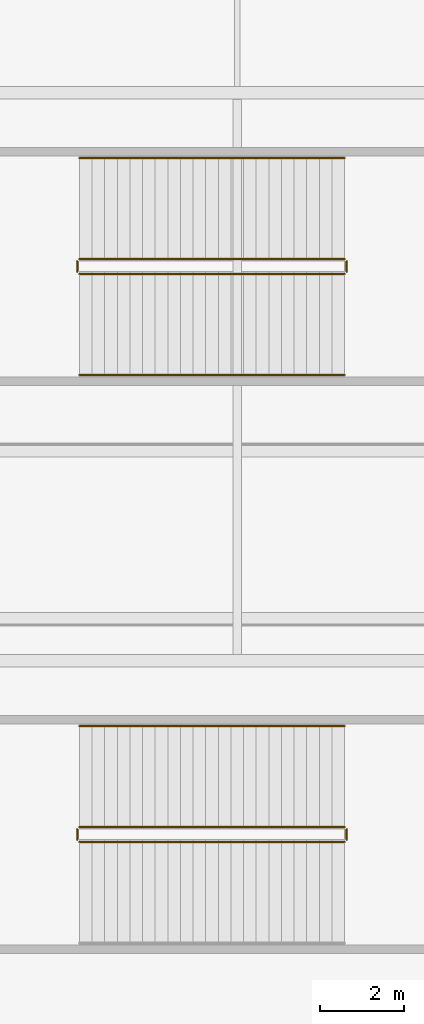
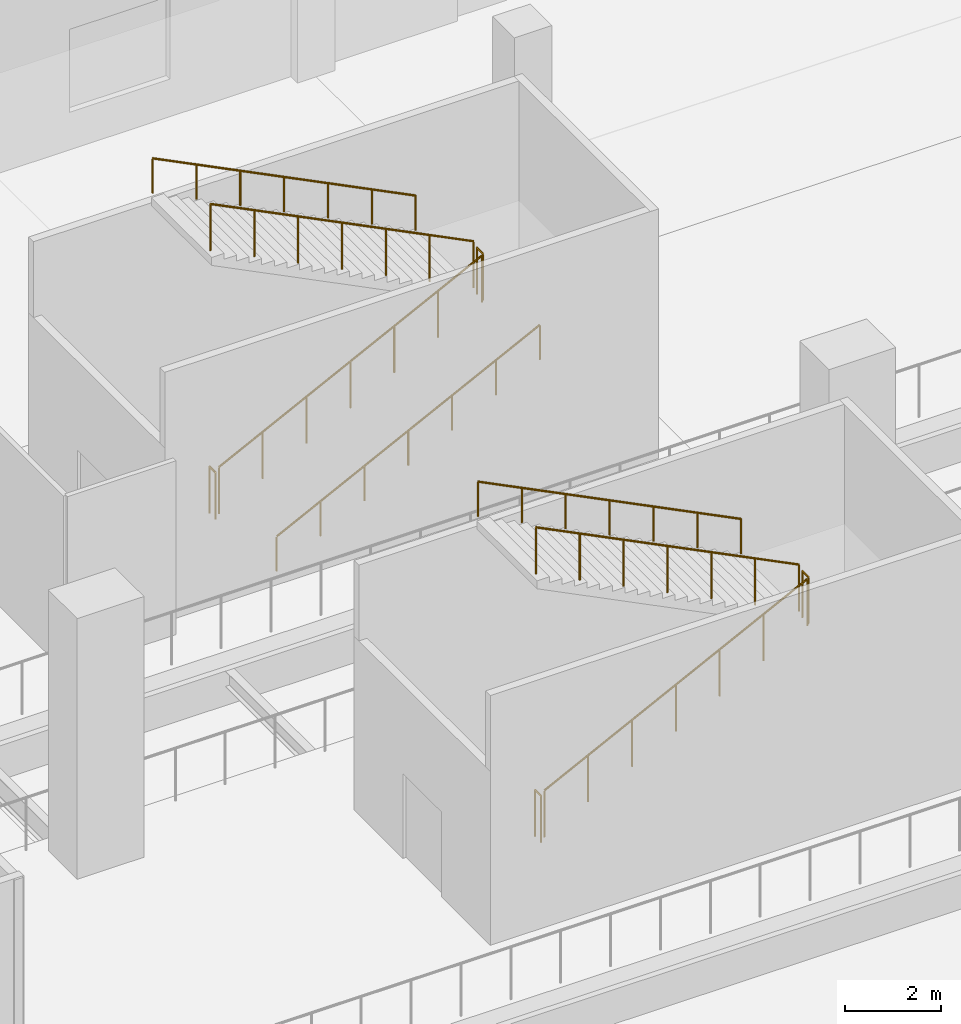
# One storey, part 53 of 65: 11 railings.
"""IFC4 building model written with IfcOpenShell, lengths in metres."""

from ifc_helpers import new_model, si_unit, direction, frame, origin, origin_2d, place, context, subcontext, project, spatial, circle, extrude, material, type_object, element, save


model = new_model("IFC4")

# Units and contexts
model_context = context("Model", 3, precision=1e-05, world=origin(), true_north=direction((0.0, 1.0)))
body_context = subcontext(model_context, "Body", "Model", "MODEL_VIEW")
ifc_project = project(units=[si_unit("LENGTHUNIT", "METRE"), si_unit("AREAUNIT", "SQUARE_METRE"), si_unit("VOLUMEUNIT", "CUBIC_METRE"), si_unit("PLANEANGLEUNIT", "RADIAN"), si_unit("MASSUNIT", "GRAM", prefix="KILO")], contexts=[model_context])

# Site, building, storey
site_placement = place(None, origin())
site = spatial("IfcSite", under=ifc_project, at=site_placement, CompositionType="ELEMENT")
building_placement = place(site_placement, origin())
building = spatial("IfcBuilding", under=site, at=building_placement, Name="Chuanluo Vaults Station", CompositionType="ELEMENT")
storey_placement = place(building_placement, origin())
storey = spatial("IfcBuildingStorey", under=building, at=storey_placement, Name="L00", CompositionType="ELEMENT", Elevation=0.0)

# Railings
ifc_material_1 = material(Name="Tempered laminated balustrade glass", Category="glass")
railing_type_1 = type_object("IfcRailingType", Name="RLG-GUARD-1200", PredefinedType="BALUSTRADE", material=ifc_material_1)
railing_1_placement = place(storey_placement, frame((62.25, 99.199951171875, 0.14990234375)))
element("IfcRailing", 1, at=railing_1_placement, inside=storey, type_object=railing_type_1, Name="L00 ST-14 stair guard 1", PredefinedType="BALUSTRADE", context=body_context, shape_type="SweptSolid", body=[
    extrude(circle(Radius=0.02392578125, at=origin_2d()), frame((0.0, 0.0, 1.17578125), z_axis=(0.894420258746, 0.0, 0.44722745974), x_axis=(0.0, 1.0, 0.0)), (0.0, 0.0, 1.0), 7.043701171875),
    extrude(circle(Radius=0.02099609375, at=origin_2d()), origin(), (0.0, 0.0, 1.0), 1.15185546875),
    extrude(circle(Radius=0.02099609375, at=origin_2d()), frame((1.050048828125, 0.0, 0.52490234375)), (0.0, 0.0, 1.0), 1.15185546875),
    extrude(circle(Radius=0.02099609375, at=origin_2d()), frame((2.10009765625, 0.0, 1.050048828125)), (0.0, 0.0, 1.0), 1.15185546875),
    extrude(circle(Radius=0.02099609375, at=origin_2d()), frame((3.14990234375, 0.0, 1.5751953125)), (0.0, 0.0, 1.0), 1.15185546875),
    extrude(circle(Radius=0.02099609375, at=origin_2d()), frame((4.199951171875, 0.0, 2.10009765625)), (0.0, 0.0, 1.0), 1.15185546875),
    extrude(circle(Radius=0.02099609375, at=origin_2d()), frame((5.25, 0.0, 2.625)), (0.0, 0.0, 1.0), 1.15185546875),
    extrude(circle(Radius=0.02099609375, at=origin_2d()), frame((6.300048828125, 0.0, 3.150146484375)), (0.0, 0.0, 1.0), 1.15185546875),
])
railing_2_placement = place(storey_placement, frame((68.60009765625, 99.25, 3.300048828125)))
element("IfcRailing", 2, at=railing_2_placement, inside=storey, type_object=railing_type_1, Name="L00 ST-14 stair guard 2", PredefinedType="BALUSTRADE", context=body_context, shape_type="SweptSolid", body=[
    extrude(circle(Radius=0.02392578125, at=origin_2d()), frame((0.0, 0.0, 1.17578125), z_axis=(0.0, 1.0, 0.0), x_axis=(-1.0, 0.0, 0.0)), (0.0, 0.0, 1.0), 0.25),
    extrude(circle(Radius=0.02099609375, at=origin_2d()), origin(), (0.0, 0.0, 1.0), 1.15185546875),
    extrude(circle(Radius=0.02099609375, at=origin_2d()), frame((0.0, 0.25, 0.0)), (0.0, 0.0, 1.0), 1.15185546875),
])
railing_3_placement = place(storey_placement, frame((68.550048828125, 99.550048828125, 3.449951171875)))
element("IfcRailing", 3, at=railing_3_placement, inside=storey, type_object=railing_type_1, Name="L00 ST-14 stair guard 3", PredefinedType="BALUSTRADE", context=body_context, shape_type="SweptSolid", body=[
    extrude(circle(Radius=0.02392578125, at=origin_2d()), frame((0.0, 0.0, 1.17578125), z_axis=(-0.894420258746, 0.0, 0.44722745974), x_axis=(0.0, -1.0, 0.0)), (0.0, 0.0, 1.0), 7.043701171875),
    extrude(circle(Radius=0.02099609375, at=origin_2d()), origin(), (0.0, 0.0, 1.0), 1.15185546875),
    extrude(circle(Radius=0.02099609375, at=origin_2d()), frame((-1.050048828125, 0.0, 0.52490234375)), (0.0, 0.0, 1.0), 1.15185546875),
    extrude(circle(Radius=0.02099609375, at=origin_2d()), frame((-2.10009765625, 0.0, 1.050048828125)), (0.0, 0.0, 1.0), 1.15185546875),
    extrude(circle(Radius=0.02099609375, at=origin_2d()), frame((-3.14990234375, 0.0, 1.5751953125)), (0.0, 0.0, 1.0), 1.15185546875),
    extrude(circle(Radius=0.02099609375, at=origin_2d()), frame((-4.199951171875, 0.0, 2.10009765625)), (0.0, 0.0, 1.0), 1.15185546875),
    extrude(circle(Radius=0.02099609375, at=origin_2d()), frame((-5.25, 0.0, 2.625)), (0.0, 0.0, 1.0), 1.15185546875),
    extrude(circle(Radius=0.02099609375, at=origin_2d()), frame((-6.300048828125, 0.0, 3.150146484375)), (0.0, 0.0, 1.0), 1.15185546875),
])
railing_4_placement = place(storey_placement, frame((62.199951171875, 99.25, 0.0)))
element("IfcRailing", 4, at=railing_4_placement, inside=storey, type_object=railing_type_1, Name="L00 ST-14 stair guard 4", PredefinedType="BALUSTRADE", context=body_context, shape_type="SweptSolid", body=[
    extrude(circle(Radius=0.02392578125, at=origin_2d()), frame((0.0, 0.0, 1.17578125), z_axis=(0.0, 1.0, 0.0), x_axis=(-1.0, 0.0, 0.0)), (0.0, 0.0, 1.0), 0.25),
    extrude(circle(Radius=0.02099609375, at=origin_2d()), origin(), (0.0, 0.0, 1.0), 1.15185546875),
    extrude(circle(Radius=0.02099609375, at=origin_2d()), frame((0.0, 0.25, 0.0)), (0.0, 0.0, 1.0), 1.15185546875),
])
railing_5_placement = place(storey_placement, frame((62.25, 112.699951171875, 0.14990234375)))
element("IfcRailing", 5, at=railing_5_placement, inside=storey, type_object=railing_type_1, Name="L00 ST-17 stair guard 1", PredefinedType="BALUSTRADE", context=body_context, shape_type="SweptSolid", body=[
    extrude(circle(Radius=0.02392578125, at=origin_2d()), frame((0.0, 0.0, 1.17578125), z_axis=(0.894420258746, 0.0, 0.44722745974), x_axis=(0.0, 1.0, 0.0)), (0.0, 0.0, 1.0), 7.043701171875),
    extrude(circle(Radius=0.02099609375, at=origin_2d()), origin(), (0.0, 0.0, 1.0), 1.15185546875),
    extrude(circle(Radius=0.02099609375, at=origin_2d()), frame((1.050048828125, 0.0, 0.52490234375)), (0.0, 0.0, 1.0), 1.15185546875),
    extrude(circle(Radius=0.02099609375, at=origin_2d()), frame((2.10009765625, 0.0, 1.050048828125)), (0.0, 0.0, 1.0), 1.15185546875),
    extrude(circle(Radius=0.02099609375, at=origin_2d()), frame((3.14990234375, 0.0, 1.5751953125)), (0.0, 0.0, 1.0), 1.15185546875),
    extrude(circle(Radius=0.02099609375, at=origin_2d()), frame((4.199951171875, 0.0, 2.10009765625)), (0.0, 0.0, 1.0), 1.15185546875),
    extrude(circle(Radius=0.02099609375, at=origin_2d()), frame((5.25, 0.0, 2.625)), (0.0, 0.0, 1.0), 1.15185546875),
    extrude(circle(Radius=0.02099609375, at=origin_2d()), frame((6.300048828125, 0.0, 3.150146484375)), (0.0, 0.0, 1.0), 1.15185546875),
])
railing_6_placement = place(storey_placement, frame((68.60009765625, 112.75, 3.300048828125)))
element("IfcRailing", 6, at=railing_6_placement, inside=storey, type_object=railing_type_1, Name="L00 ST-17 stair guard 2", PredefinedType="BALUSTRADE", context=body_context, shape_type="SweptSolid", body=[
    extrude(circle(Radius=0.02392578125, at=origin_2d()), frame((0.0, 0.0, 1.17578125), z_axis=(0.0, 1.0, 0.0), x_axis=(-1.0, 0.0, 0.0)), (0.0, 0.0, 1.0), 0.25),
    extrude(circle(Radius=0.02099609375, at=origin_2d()), origin(), (0.0, 0.0, 1.0), 1.15185546875),
    extrude(circle(Radius=0.02099609375, at=origin_2d()), frame((0.0, 0.25, 0.0)), (0.0, 0.0, 1.0), 1.15185546875),
])
railing_7_placement = place(storey_placement, frame((68.550048828125, 113.050048828125, 3.449951171875)))
element("IfcRailing", 7, at=railing_7_placement, inside=storey, type_object=railing_type_1, Name="L00 ST-17 stair guard 3", PredefinedType="BALUSTRADE", context=body_context, shape_type="SweptSolid", body=[
    extrude(circle(Radius=0.02392578125, at=origin_2d()), frame((0.0, 0.0, 1.17578125), z_axis=(-0.894420258746, 0.0, 0.44722745974), x_axis=(0.0, -1.0, 0.0)), (0.0, 0.0, 1.0), 7.043701171875),
    extrude(circle(Radius=0.02099609375, at=origin_2d()), origin(), (0.0, 0.0, 1.0), 1.15185546875),
    extrude(circle(Radius=0.02099609375, at=origin_2d()), frame((-1.050048828125, 0.0, 0.52490234375)), (0.0, 0.0, 1.0), 1.15185546875),
    extrude(circle(Radius=0.02099609375, at=origin_2d()), frame((-2.10009765625, 0.0, 1.050048828125)), (0.0, 0.0, 1.0), 1.15185546875),
    extrude(circle(Radius=0.02099609375, at=origin_2d()), frame((-3.14990234375, 0.0, 1.5751953125)), (0.0, 0.0, 1.0), 1.15185546875),
    extrude(circle(Radius=0.02099609375, at=origin_2d()), frame((-4.199951171875, 0.0, 2.10009765625)), (0.0, 0.0, 1.0), 1.15185546875),
    extrude(circle(Radius=0.02099609375, at=origin_2d()), frame((-5.25, 0.0, 2.625)), (0.0, 0.0, 1.0), 1.15185546875),
    extrude(circle(Radius=0.02099609375, at=origin_2d()), frame((-6.300048828125, 0.0, 3.150146484375)), (0.0, 0.0, 1.0), 1.15185546875),
])
railing_8_placement = place(storey_placement, frame((62.199951171875, 112.75, 0.0)))
element("IfcRailing", 8, at=railing_8_placement, inside=storey, type_object=railing_type_1, Name="L00 ST-17 stair guard 4", PredefinedType="BALUSTRADE", context=body_context, shape_type="SweptSolid", body=[
    extrude(circle(Radius=0.02392578125, at=origin_2d()), frame((0.0, 0.0, 1.17578125), z_axis=(0.0, 1.0, 0.0), x_axis=(-1.0, 0.0, 0.0)), (0.0, 0.0, 1.0), 0.25),
    extrude(circle(Radius=0.02099609375, at=origin_2d()), origin(), (0.0, 0.0, 1.0), 1.15185546875),
    extrude(circle(Radius=0.02099609375, at=origin_2d()), frame((0.0, 0.25, 0.0)), (0.0, 0.0, 1.0), 1.15185546875),
])
ifc_material_2 = material(Name="Brushed stainless steel 304", Category="steel")
railing_type_2 = type_object("IfcRailingType", Name="RLG-HAND-900", PredefinedType="HANDRAIL", material=ifc_material_2)
railing_9_placement = place(storey_placement, frame((68.550048828125, 101.949951171875, 3.449951171875)))
element("IfcRailing", 9, at=railing_9_placement, inside=storey, type_object=railing_type_2, Name="L00 ST-14 stair handrail 2", PredefinedType="HANDRAIL", context=body_context, shape_type="SweptSolid", body=[
    extrude(circle(Radius=0.02392578125, at=origin_2d()), frame((0.0, 0.0, 0.8759765625), z_axis=(-0.894420258746, 0.0, 0.44722745974), x_axis=(0.0, -1.0, 0.0)), (0.0, 0.0, 1.0), 7.043701171875),
    extrude(circle(Radius=0.02099609375, at=origin_2d()), origin(), (0.0, 0.0, 1.0), 0.851806640625),
    extrude(circle(Radius=0.02099609375, at=origin_2d()), frame((-1.050048828125, 0.0, 0.52490234375)), (0.0, 0.0, 1.0), 0.851806640625),
    extrude(circle(Radius=0.02099609375, at=origin_2d()), frame((-2.10009765625, 0.0, 1.050048828125)), (0.0, 0.0, 1.0), 0.851806640625),
    extrude(circle(Radius=0.02099609375, at=origin_2d()), frame((-3.14990234375, 0.0, 1.5751953125)), (0.0, 0.0, 1.0), 0.851806640625),
    extrude(circle(Radius=0.02099609375, at=origin_2d()), frame((-4.199951171875, 0.0, 2.10009765625)), (0.0, 0.0, 1.0), 0.851806640625),
    extrude(circle(Radius=0.02099609375, at=origin_2d()), frame((-5.25, 0.0, 2.625)), (0.0, 0.0, 1.0), 0.851806640625),
    extrude(circle(Radius=0.02099609375, at=origin_2d()), frame((-6.300048828125, 0.0, 3.150146484375)), (0.0, 0.0, 1.0), 0.851806640625),
])
railing_10_placement = place(storey_placement, frame((62.25, 110.300048828125, 0.14990234375)))
element("IfcRailing", 10, at=railing_10_placement, inside=storey, type_object=railing_type_2, Name="L00 ST-17 stair handrail 1", PredefinedType="HANDRAIL", context=body_context, shape_type="SweptSolid", body=[
    extrude(circle(Radius=0.02392578125, at=origin_2d()), frame((0.0, 0.0, 0.8759765625), z_axis=(0.894420258746, 0.0, 0.44722745974), x_axis=(0.0, 1.0, 0.0)), (0.0, 0.0, 1.0), 7.043701171875),
    extrude(circle(Radius=0.02099609375, at=origin_2d()), origin(), (0.0, 0.0, 1.0), 0.851806640625),
    extrude(circle(Radius=0.02099609375, at=origin_2d()), frame((1.050048828125, 0.0, 0.52490234375)), (0.0, 0.0, 1.0), 0.851806640625),
    extrude(circle(Radius=0.02099609375, at=origin_2d()), frame((2.10009765625, 0.0, 1.050048828125)), (0.0, 0.0, 1.0), 0.851806640625),
    extrude(circle(Radius=0.02099609375, at=origin_2d()), frame((3.14990234375, 0.0, 1.5751953125)), (0.0, 0.0, 1.0), 0.851806640625),
    extrude(circle(Radius=0.02099609375, at=origin_2d()), frame((4.199951171875, 0.0, 2.10009765625)), (0.0, 0.0, 1.0), 0.851806640625),
    extrude(circle(Radius=0.02099609375, at=origin_2d()), frame((5.25, 0.0, 2.625)), (0.0, 0.0, 1.0), 0.851806640625),
    extrude(circle(Radius=0.02099609375, at=origin_2d()), frame((6.300048828125, 0.0, 3.150146484375)), (0.0, 0.0, 1.0), 0.851806640625),
])
railing_11_placement = place(storey_placement, frame((68.550048828125, 115.449951171875, 3.449951171875)))
element("IfcRailing", 11, at=railing_11_placement, inside=storey, type_object=railing_type_2, Name="L00 ST-17 stair handrail 2", PredefinedType="HANDRAIL", context=body_context, shape_type="SweptSolid", body=[
    extrude(circle(Radius=0.02392578125, at=origin_2d()), frame((0.0, 0.0, 0.8759765625), z_axis=(-0.894420258746, 0.0, 0.44722745974), x_axis=(0.0, -1.0, 0.0)), (0.0, 0.0, 1.0), 7.043701171875),
    extrude(circle(Radius=0.02099609375, at=origin_2d()), origin(), (0.0, 0.0, 1.0), 0.851806640625),
    extrude(circle(Radius=0.02099609375, at=origin_2d()), frame((-1.050048828125, 0.0, 0.52490234375)), (0.0, 0.0, 1.0), 0.851806640625),
    extrude(circle(Radius=0.02099609375, at=origin_2d()), frame((-2.10009765625, 0.0, 1.050048828125)), (0.0, 0.0, 1.0), 0.851806640625),
    extrude(circle(Radius=0.02099609375, at=origin_2d()), frame((-3.14990234375, 0.0, 1.5751953125)), (0.0, 0.0, 1.0), 0.851806640625),
    extrude(circle(Radius=0.02099609375, at=origin_2d()), frame((-4.199951171875, 0.0, 2.10009765625)), (0.0, 0.0, 1.0), 0.851806640625),
    extrude(circle(Radius=0.02099609375, at=origin_2d()), frame((-5.25, 0.0, 2.625)), (0.0, 0.0, 1.0), 0.851806640625),
    extrude(circle(Radius=0.02099609375, at=origin_2d()), frame((-6.300048828125, 0.0, 3.150146484375)), (0.0, 0.0, 1.0), 0.851806640625),
])

save(model, "model.ifc")
